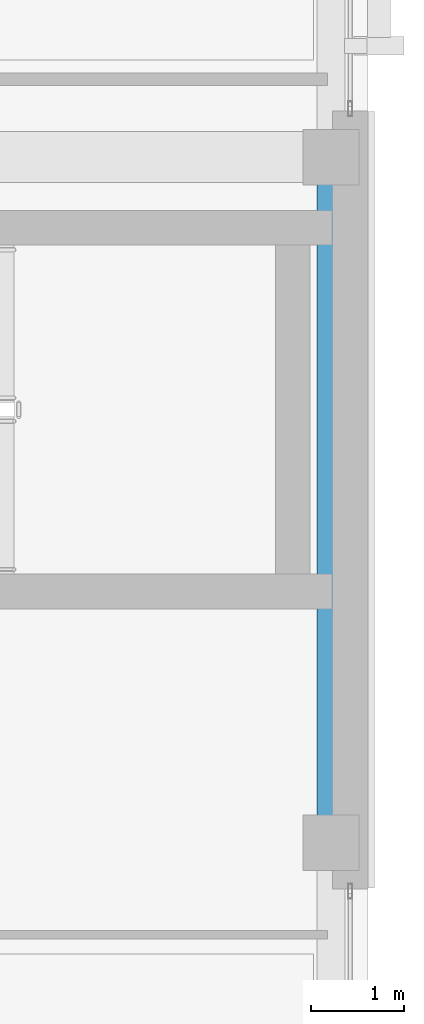
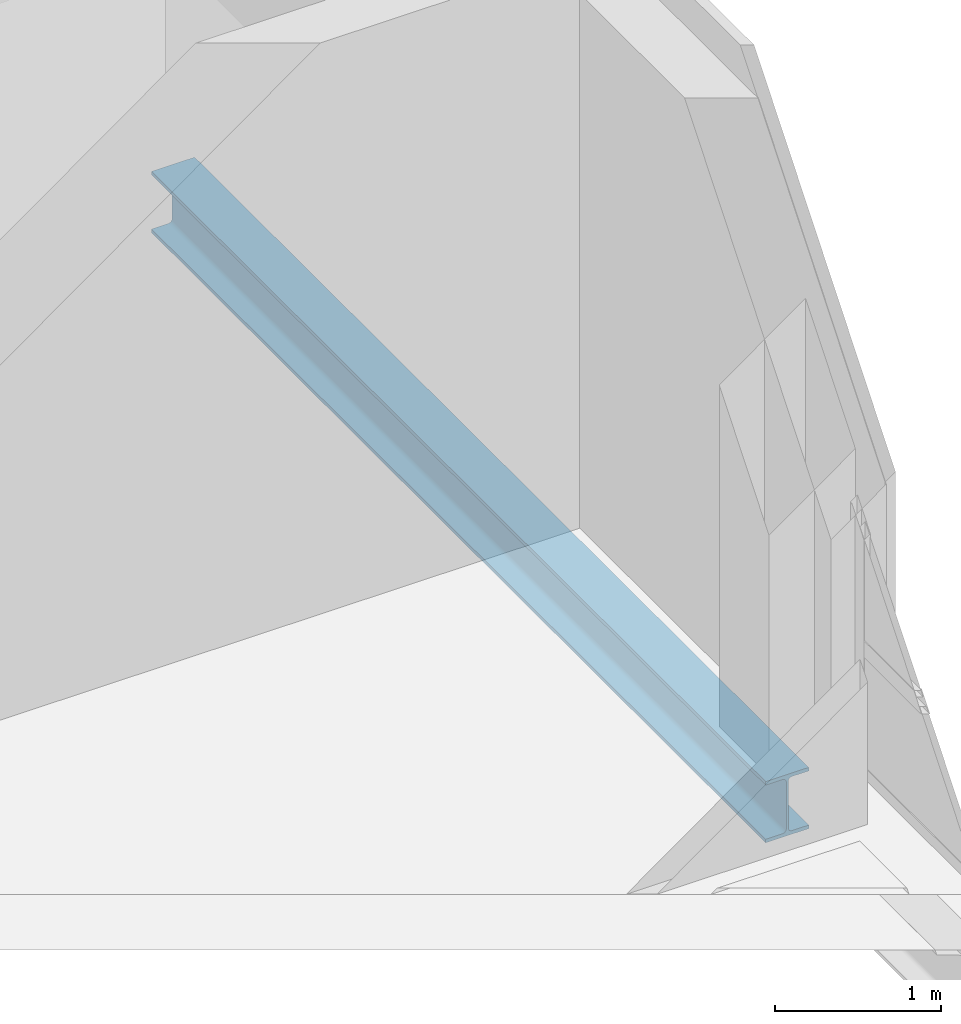
# One storey, part 27 of 90: 1 beam.
"""IFC4 building model written with IfcOpenShell, lengths in metres."""

from ifc_helpers import new_model, si_unit, direction, frame, origin, origin_2d, place, context, subcontext, project, spatial, i_section, extrude, material, material_profile, profile_set, type_object, element, save


model = new_model("IFC4")

# Units and contexts
model_context = context("Model", 3, precision=1e-05, world=origin(), true_north=direction((0.0, 1.0)))
body_context = subcontext(model_context, "Body", "Model", "MODEL_VIEW")
ifc_project = project(units=[si_unit("LENGTHUNIT", "METRE"), si_unit("AREAUNIT", "SQUARE_METRE"), si_unit("VOLUMEUNIT", "CUBIC_METRE"), si_unit("PLANEANGLEUNIT", "RADIAN"), si_unit("MASSUNIT", "GRAM", prefix="KILO")], contexts=[model_context])

# Site, building, storey
site_placement = place(None, origin())
site = spatial("IfcSite", under=ifc_project, at=site_placement, CompositionType="ELEMENT")
building_placement = place(site_placement, origin())
building = spatial("IfcBuilding", under=site, at=building_placement, Name="Qalavern Law Courts", CompositionType="ELEMENT")
storey_placement = place(building_placement, frame((0.0, 0.0, 22.800048828125)))
storey = spatial("IfcBuildingStorey", under=building, at=storey_placement, Name="L05", CompositionType="ELEMENT", Elevation=22.800048828125)

# Beam
ifc_material = material(Name="Steel S355", Category="steel")
ifc_material_profile = material_profile(ifc_material, i_section(OverallWidth=0.300048828125, OverallDepth=0.449951171875, WebThickness=0.013916015625, FlangeThickness=0.02587890625, FilletRadius=0.027099609375, at=origin_2d()), Name="HEB 450")
ifc_profile_set = profile_set([ifc_material_profile], Name="Steel S355")
beam_type = type_object("IfcBeamType", Name="STR-SP-HEB450", PredefinedType="SPANDREL", material=ifc_profile_set)
beam_placement = place(storey_placement, frame((106.39990234375, 65.39990234375, -0.5), z_axis=(0.0, 1.0, 0.0), x_axis=(-1.0, 0.0, 0.0)))
element("IfcBeam", 1, at=beam_placement, inside=storey, type_object=beam_type, Name="V4 Y-beam 3-4 L05", PredefinedType="SPANDREL", context=body_context, shape_type="SweptSolid", body=[
    extrude(i_section(OverallWidth=0.300048828125, OverallDepth=0.449951171875, WebThickness=0.013916015625, FlangeThickness=0.02587890625, FilletRadius=0.027099609375, at=origin_2d()), origin(), (0.0, 0.0, 1.0), 7.400146484375),
])

save(model, "model.ifc")
